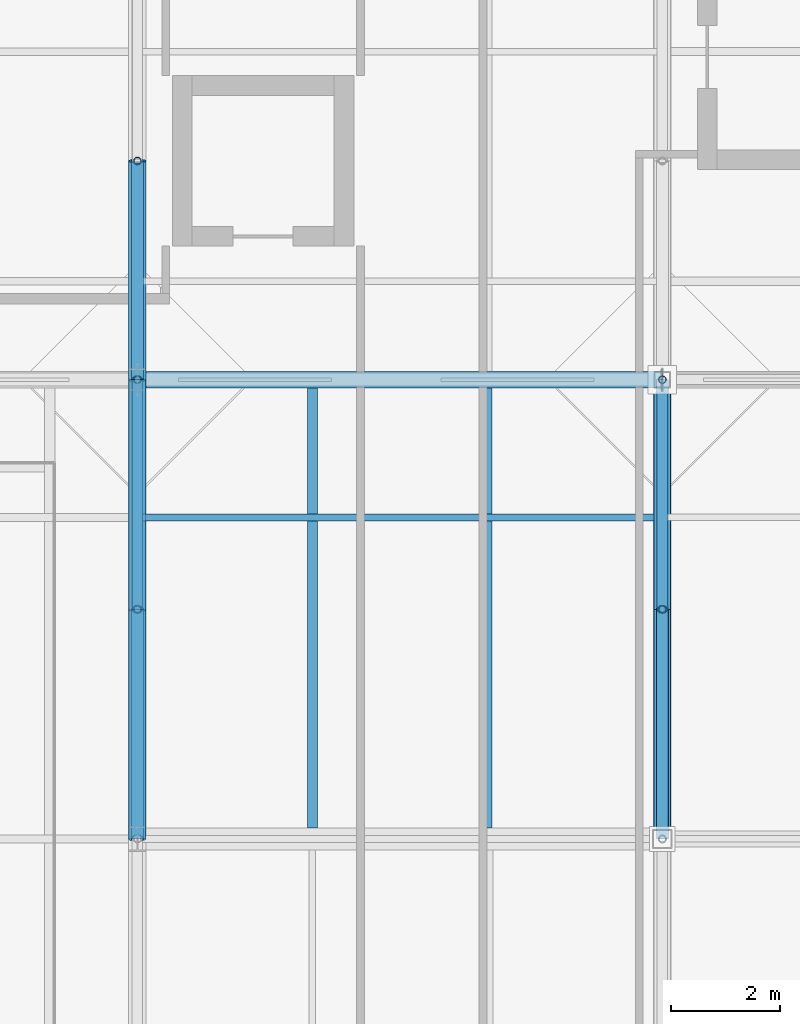
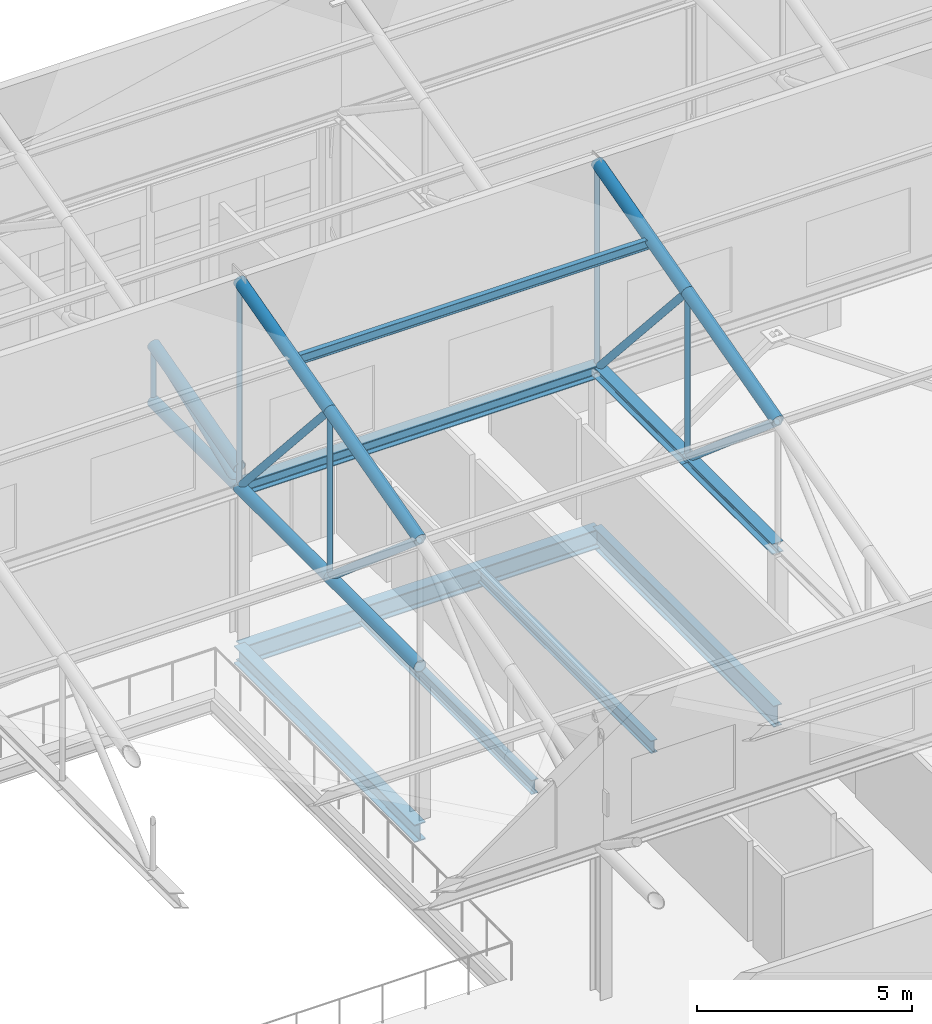
# One storey, part 40 of 89: 21 members, 6 beams.
"""IFC4 building model written with IfcOpenShell, lengths in metres."""

from ifc_helpers import new_model, si_unit, direction, frame, origin, origin_2d, place, context, subcontext, project, spatial, hollow_circle, i_section, extrude, material, material_profile, profile_set, type_object, element, save


model = new_model("IFC4")

# Units and contexts
model_context = context("Model", 3, precision=1e-05, world=origin(), true_north=direction((0.0, 1.0)))
body_context = subcontext(model_context, "Body", "Model", "MODEL_VIEW")
ifc_project = project(units=[si_unit("LENGTHUNIT", "METRE"), si_unit("AREAUNIT", "SQUARE_METRE"), si_unit("VOLUMEUNIT", "CUBIC_METRE"), si_unit("PLANEANGLEUNIT", "RADIAN"), si_unit("MASSUNIT", "GRAM", prefix="KILO")], contexts=[model_context])

# Site, building, storey
site_placement = place(None, origin())
site = spatial("IfcSite", under=ifc_project, at=site_placement, CompositionType="ELEMENT")
building_placement = place(site_placement, origin())
building = spatial("IfcBuilding", under=site, at=building_placement, Name="Zereglee Splitstone Museum", CompositionType="ELEMENT")
storey_placement = place(building_placement, frame((0.0, 0.0, 21.300048828125)))
storey = spatial("IfcBuildingStorey", under=building, at=storey_placement, Name="L04", CompositionType="ELEMENT", Elevation=21.300048828125)

# Members
ifc_material_1 = material(Name="Steel S355J2H", Category="steel")
ifc_material_profile_1 = material_profile(ifc_material_1, hollow_circle(Radius=0.096923828125, WallThickness=0.010009765625, at=origin_2d()), Name="CHS 193.7x10")
ifc_profile_set_1 = profile_set([ifc_material_profile_1], Name="Steel S355J2H")
member_type_1 = type_object("IfcMemberType", Name="TB-04", PredefinedType="BRACE", material=ifc_profile_set_1)
for number, where, z_axis, x_axis, name in (
    (1, (116.39990234375, 38.39990234375, 4.199951171875), (0.0, -0.664351853733, 0.747419971932), (1.0, 0.0, 0.0), "Roof Truss ST-05 Diagonal 2.4"),
    (2, (126.0, 38.39990234375, 4.199951171875), (0.0, -0.664351853733, 0.747419971932), (1.0, 0.0, 0.0), "Roof Truss ST-06 Diagonal 2.4"),
):
    element("IfcMember", number, at=place(storey_placement, frame(where, z_axis=z_axis, x_axis=x_axis)), inside=storey, type_object=member_type_1, Name=name, PredefinedType="BRACE", context=body_context, shape_type="SweptSolid", body=[
        extrude(hollow_circle(Radius=0.096923828125, WallThickness=0.010009765625, at=origin_2d()), origin(), (0.0, 0.0, 1.0), 6.32177734375),
    ])
ifc_material_profile_2 = material_profile(ifc_material_1, hollow_circle(Radius=0.109619140625, WallThickness=0.010009765625, at=origin_2d()), Name="CHS 219.1x10")
ifc_profile_set_2 = profile_set([ifc_material_profile_2], Name="Steel S355J2H")
member_type_2 = type_object("IfcMemberType", Name="TB-03", PredefinedType="BRACE", material=ifc_profile_set_2)
member_1_placement = place(storey_placement, frame((116.39990234375, 34.199951171875, 4.199951171875), z_axis=(0.0, -0.759244140748, 0.650805911728), x_axis=(1.0, 0.0, 0.0)))
element("IfcMember", 3, at=member_1_placement, inside=storey, type_object=member_type_2, Name="Roof Truss ST-05 Diagonal 2.3", PredefinedType="BRACE", context=body_context, shape_type="SweptSolid", body=[
    extrude(hollow_circle(Radius=0.109619140625, WallThickness=0.010009765625, at=origin_2d()), origin(), (0.0, 0.0, 1.0), 5.53173828125),
])
member_2_placement = place(storey_placement, frame((116.39990234375, 38.39990234375, 4.199951171875), z_axis=(0.0, 0.927136001435, 0.374725012299), x_axis=(-1.0, 0.0, 0.0)))
element("IfcMember", 4, at=member_2_placement, inside=storey, type_object=member_type_2, Name="Roof Truss ST-05 Diagonal 3.1", PredefinedType="BRACE", context=body_context, shape_type="SweptSolid", body=[
    extrude(hollow_circle(Radius=0.109619140625, WallThickness=0.010009765625, at=origin_2d()), origin(), (0.0, 0.0, 1.0), 4.314453125),
])
member_3_placement = place(storey_placement, frame((126.0, 34.199951171875, 4.199951171875), z_axis=(0.0, -0.759244140748, 0.650805911728), x_axis=(1.0, 0.0, 0.0)))
element("IfcMember", 5, at=member_3_placement, inside=storey, type_object=member_type_2, Name="Roof Truss ST-06 Diagonal 2.3", PredefinedType="BRACE", context=body_context, shape_type="SweptSolid", body=[
    extrude(hollow_circle(Radius=0.109619140625, WallThickness=0.010009765625, at=origin_2d()), origin(), (0.0, 0.0, 1.0), 5.53173828125),
])
ifc_material_profile_3 = material_profile(ifc_material_1, hollow_circle(Radius=0.161865234375, WallThickness=0.01611328125, at=origin_2d()), Name="CHS 323.9x16")
ifc_profile_set_3 = profile_set([ifc_material_profile_3], Name="Steel S355J2H")
member_type_3 = type_object("IfcMemberType", Name="TC-05", PredefinedType="CHORD", material=ifc_profile_set_3)
member_4_placement = place(storey_placement, frame((116.39990234375, 30.0, 4.199951171875), z_axis=(0.0, 1.0, 0.0), x_axis=(-1.0, 0.0, 0.0)))
element("IfcMember", 6, at=member_4_placement, inside=storey, type_object=member_type_3, Name="Roof Truss ST-05 Bottom Chord 2.3", PredefinedType="CHORD", context=body_context, shape_type="SweptSolid", body=[
    extrude(hollow_circle(Radius=0.161865234375, WallThickness=0.01611328125, at=origin_2d()), origin(), (0.0, 0.0, 1.0), 4.199951171875),
])
member_5_placement = place(storey_placement, frame((116.39990234375, 30.0, 7.800048828125), z_axis=(0.0, 0.965947299715, 0.258738891884), x_axis=(-1.0, 0.0, 0.0)))
element("IfcMember", 7, at=member_5_placement, inside=storey, type_object=member_type_3, Name="Roof Truss ST-05 Top Chord 2.3", PredefinedType="CHORD", context=body_context, shape_type="SweptSolid", body=[
    extrude(hollow_circle(Radius=0.161865234375, WallThickness=0.01611328125, at=origin_2d()), origin(), (0.0, 0.0, 1.0), 4.347900390625),
])
member_6_placement = place(storey_placement, frame((116.39990234375, 34.199951171875, 4.199951171875), z_axis=(0.0, 1.0, 0.0), x_axis=(-1.0, 0.0, 0.0)))
element("IfcMember", 8, at=member_6_placement, inside=storey, type_object=member_type_3, Name="Roof Truss ST-05 Bottom Chord 2.4", PredefinedType="CHORD", context=body_context, shape_type="SweptSolid", body=[
    extrude(hollow_circle(Radius=0.161865234375, WallThickness=0.01611328125, at=origin_2d()), origin(), (0.0, 0.0, 1.0), 4.199951171875),
])
member_7_placement = place(storey_placement, frame((116.39990234375, 34.199951171875, 8.925048828125), z_axis=(0.0, 0.965947299715, 0.258738891884), x_axis=(-1.0, 0.0, 0.0)))
element("IfcMember", 9, at=member_7_placement, inside=storey, type_object=member_type_3, Name="Roof Truss ST-05 Top Chord 2.4", PredefinedType="CHORD", context=body_context, shape_type="SweptSolid", body=[
    extrude(hollow_circle(Radius=0.161865234375, WallThickness=0.01611328125, at=origin_2d()), origin(), (0.0, 0.0, 1.0), 4.347900390625),
])
member_8_placement = place(storey_placement, frame((116.39990234375, 38.39990234375, 4.199951171875), z_axis=(0.0, 1.0, 0.0), x_axis=(-1.0, 0.0, 0.0)))
element("IfcMember", 10, at=member_8_placement, inside=storey, type_object=member_type_3, Name="Roof Truss ST-05 Bottom Chord 3.1", PredefinedType="CHORD", context=body_context, shape_type="SweptSolid", body=[
    extrude(hollow_circle(Radius=0.161865234375, WallThickness=0.01611328125, at=origin_2d()), origin(), (0.0, 0.0, 1.0), 4.0),
])
member_9_placement = place(storey_placement, frame((116.39990234375, 38.39990234375, 4.75), z_axis=(0.0, 0.966235918422, 0.257658979955), x_axis=(-1.0, 0.0, 0.0)))
element("IfcMember", 11, at=member_9_placement, inside=storey, type_object=member_type_3, Name="Roof Truss ST-05 Top Chord 3.1", PredefinedType="CHORD", context=body_context, shape_type="SweptSolid", body=[
    extrude(hollow_circle(Radius=0.161865234375, WallThickness=0.01611328125, at=origin_2d()), origin(), (0.0, 0.0, 1.0), 4.139892578125),
])
for number, where, z_axis, x_axis, name in (
    (12, (126.0, 30.0, 7.800048828125), (0.0, 0.965947299715, 0.258738891884), (-1.0, 0.0, 0.0), "Roof Truss ST-06 Top Chord 2.3"),
    (13, (126.0, 34.199951171875, 8.925048828125), (0.0, 0.965947299715, 0.258738891884), (-1.0, 0.0, 0.0), "Roof Truss ST-06 Top Chord 2.4"),
):
    element("IfcMember", number, at=place(storey_placement, frame(where, z_axis=z_axis, x_axis=x_axis)), inside=storey, type_object=member_type_3, Name=name, PredefinedType="CHORD", context=body_context, shape_type="SweptSolid", body=[
        extrude(hollow_circle(Radius=0.161865234375, WallThickness=0.01611328125, at=origin_2d()), origin(), (0.0, 0.0, 1.0), 4.347900390625),
    ])
ifc_material_2 = material(Name="Steel S355J2", Category="steel")
ifc_material_profile_4 = material_profile(ifc_material_2, i_section(OverallWidth=0.300048828125, OverallDepth=0.300048828125, WebThickness=0.010986328125, FlangeThickness=0.01904296875, FilletRadius=0.027099609375, at=origin_2d()), Name="HE 300 B")
ifc_profile_set_4 = profile_set([ifc_material_profile_4], Name="Steel S355J2")
member_type_4 = type_object("IfcMemberType", Name="TC-07", PredefinedType="CHORD", material=ifc_profile_set_4)
for number, where, z_axis, x_axis, name in (
    (14, (126.0, 30.0, 4.199951171875), (0.0, 1.0, 0.0), (-1.0, 0.0, 0.0), "Roof Truss ST-06 Bottom Chord 2.3"),
    (15, (126.0, 34.199951171875, 4.199951171875), (0.0, 1.0, 0.0), (-1.0, 0.0, 0.0), "Roof Truss ST-06 Bottom Chord 2.4"),
):
    element("IfcMember", number, at=place(storey_placement, frame(where, z_axis=z_axis, x_axis=x_axis)), inside=storey, type_object=member_type_4, Name=name, PredefinedType="CHORD", context=body_context, shape_type="SweptSolid", body=[
        extrude(i_section(OverallWidth=0.300048828125, OverallDepth=0.300048828125, WebThickness=0.010986328125, FlangeThickness=0.01904296875, FilletRadius=0.027099609375, at=origin_2d()), origin(), (0.0, 0.0, 1.0), 4.199951171875),
    ])

# Beams
ifc_material_profile_5 = material_profile(ifc_material_2, i_section(OverallWidth=0.300048828125, OverallDepth=0.360107421875, WebThickness=0.012451171875, FlangeThickness=0.0224609375, FilletRadius=0.027099609375, at=origin_2d()), Name="HE 360 B")
ifc_profile_set_5 = profile_set([ifc_material_profile_5], Name="Steel S355J2")
beam_type_1 = type_object("IfcBeamType", Name="BG-14", PredefinedType="BEAM", material=ifc_profile_set_5)
beam_1_placement = place(storey_placement, frame((116.39990234375, 38.39990234375, 4.199951171875), z_axis=(1.0, 0.0, 0.0), x_axis=(0.0, 1.0, 0.0)))
element("IfcBeam", 16, at=beam_1_placement, inside=storey, type_object=beam_type_1, Name="Sawtooth Monitor Sill Beam B5-S2", PredefinedType="BEAM", context=body_context, shape_type="SweptSolid", body=[
    extrude(i_section(OverallWidth=0.300048828125, OverallDepth=0.360107421875, WebThickness=0.012451171875, FlangeThickness=0.0224609375, FilletRadius=0.027099609375, at=origin_2d()), origin(), (0.0, 0.0, 1.0), 9.60009765625),
])
ifc_material_profile_6 = material_profile(ifc_material_2, i_section(OverallWidth=0.300048828125, OverallDepth=0.5, WebThickness=0.014404296875, FlangeThickness=0.028076171875, FilletRadius=0.027099609375, at=origin_2d()), Name="HE 500 B")
ifc_profile_set_6 = profile_set([ifc_material_profile_6], Name="Steel S355J2")
beam_type_2 = type_object("IfcBeamType", Name="BG-12", PredefinedType="BEAM", material=ifc_profile_set_6)
beam_2_placement = place(storey_placement, frame((116.39990234375, 30.0, -0.510009765625), z_axis=(0.0, 1.0, 0.0), x_axis=(-1.0, 0.0, 0.0)))
element("IfcBeam", 17, at=beam_2_placement, inside=storey, type_object=beam_type_2, Name="Primary Girder L04 14 (30.0-38.4)", PredefinedType="BEAM", context=body_context, shape_type="SweptSolid", body=[
    extrude(i_section(OverallWidth=0.300048828125, OverallDepth=0.5, WebThickness=0.014404296875, FlangeThickness=0.028076171875, FilletRadius=0.027099609375, at=origin_2d()), origin(), (0.0, 0.0, 1.0), 8.39990234375),
])
ifc_material_profile_7 = material_profile(ifc_material_2, i_section(OverallWidth=0.300048828125, OverallDepth=0.550048828125, WebThickness=0.014892578125, FlangeThickness=0.029052734375, FilletRadius=0.027099609375, at=origin_2d()), Name="HE 550 B")
ifc_profile_set_7 = profile_set([ifc_material_profile_7], Name="Steel S355J2")
beam_type_3 = type_object("IfcBeamType", Name="BG-11", PredefinedType="BEAM", material=ifc_profile_set_7)
beam_3_placement = place(storey_placement, frame((116.39990234375, 38.39990234375, -0.53515625), z_axis=(1.0, 0.0, 0.0), x_axis=(0.0, 1.0, 0.0)))
element("IfcBeam", 18, at=beam_3_placement, inside=storey, type_object=beam_type_3, Name="Primary Girder L04 E (116.4-126.0)", PredefinedType="BEAM", context=body_context, shape_type="SweptSolid", body=[
    extrude(i_section(OverallWidth=0.300048828125, OverallDepth=0.550048828125, WebThickness=0.014892578125, FlangeThickness=0.029052734375, FilletRadius=0.027099609375, at=origin_2d()), origin(), (0.0, 0.0, 1.0), 9.60009765625),
])
ifc_material_profile_8 = material_profile(ifc_material_2, i_section(OverallWidth=0.219970703125, OverallDepth=0.60009765625, WebThickness=0.011962890625, FlangeThickness=0.01904296875, FilletRadius=0.02392578125, at=origin_2d()), Name="IPE 600")
ifc_profile_set_8 = profile_set([ifc_material_profile_8], Name="Steel S355J2")
beam_type_4 = type_object("IfcBeamType", Name="BG-15", PredefinedType="BEAM", material=ifc_profile_set_8)
beam_4_placement = place(storey_placement, frame((126.0, 30.0, -0.56005859375), z_axis=(0.0, 1.0, 0.0), x_axis=(-1.0, 0.0, 0.0)))
element("IfcBeam", 19, at=beam_4_placement, inside=storey, type_object=beam_type_4, Name="Primary Girder L04 15 (30.0-38.4)", PredefinedType="BEAM", context=body_context, shape_type="SweptSolid", body=[
    extrude(i_section(OverallWidth=0.219970703125, OverallDepth=0.60009765625, WebThickness=0.011962890625, FlangeThickness=0.01904296875, FilletRadius=0.02392578125, at=origin_2d()), origin(), (0.0, 0.0, 1.0), 8.39990234375),
])
ifc_material_profile_9 = material_profile(ifc_material_2, i_section(OverallWidth=0.169921875, OverallDepth=0.360107421875, WebThickness=0.008056640625, FlangeThickness=0.0126953125, FilletRadius=0.01806640625, at=origin_2d()), Name="IPE 360")
ifc_profile_set_9 = profile_set([ifc_material_profile_9], Name="Steel S355J2")
beam_type_5 = type_object("IfcBeamType", Name="BJ-04", PredefinedType="JOIST", material=ifc_profile_set_9)
beam_5_placement = place(storey_placement, frame((122.800048828125, 30.199951171875, -0.43994140625), z_axis=(0.0, 1.0, 0.0), x_axis=(-1.0, 0.0, 0.0)))
element("IfcBeam", 20, at=beam_5_placement, inside=storey, type_object=beam_type_5, Name="Secondary Floor Joist L04-1543", PredefinedType="JOIST", context=body_context, shape_type="SweptSolid", body=[
    extrude(i_section(OverallWidth=0.169921875, OverallDepth=0.360107421875, WebThickness=0.008056640625, FlangeThickness=0.0126953125, FilletRadius=0.01806640625, at=origin_2d()), origin(), (0.0, 0.0, 1.0), 8.050048828125),
])
ifc_material_profile_10 = material_profile(ifc_material_2, i_section(OverallWidth=0.179931640625, OverallDepth=0.39990234375, WebThickness=0.008544921875, FlangeThickness=0.013427734375, FilletRadius=0.02099609375, at=origin_2d()), Name="IPE 400")
ifc_profile_set_10 = profile_set([ifc_material_profile_10], Name="Steel S355J2")
beam_type_6 = type_object("IfcBeamType", Name="BJ-03", PredefinedType="JOIST", material=ifc_profile_set_10)
beam_6_placement = place(storey_placement, frame((119.60009765625, 30.199951171875, -0.4599609375), z_axis=(0.0, 1.0, 0.0), x_axis=(-1.0, 0.0, 0.0)))
element("IfcBeam", 21, at=beam_6_placement, inside=storey, type_object=beam_type_6, Name="Secondary Floor Joist L04-1542", PredefinedType="JOIST", context=body_context, shape_type="SweptSolid", body=[
    extrude(i_section(OverallWidth=0.179931640625, OverallDepth=0.39990234375, WebThickness=0.008544921875, FlangeThickness=0.013427734375, FilletRadius=0.02099609375, at=origin_2d()), origin(), (0.0, 0.0, 1.0), 8.050048828125),
])

# Members
ifc_material_profile_11 = material_profile(ifc_material_1, hollow_circle(Radius=0.06982421875, WallThickness=0.008056640625, at=origin_2d()), Name="CHS 139.7x8")
ifc_profile_set_11 = profile_set([ifc_material_profile_11], Name="Steel S355J2H")
member_type_5 = type_object("IfcMemberType", Name="TP-03", PredefinedType="POST", material=ifc_profile_set_11)
member_10_placement = place(storey_placement, frame((116.39990234375, 34.199951171875, 4.199951171875), z_axis=(0.0, 0.0, 1.0), x_axis=(1.0, 0.0, 0.0)))
element("IfcMember", 22, at=member_10_placement, inside=storey, type_object=member_type_5, Name="Roof Truss ST-05 Post 2.3", PredefinedType="POST", context=body_context, shape_type="SweptSolid", body=[
    extrude(hollow_circle(Radius=0.06982421875, WallThickness=0.008056640625, at=origin_2d()), origin(), (0.0, 0.0, 1.0), 4.72509765625),
])
member_11_placement = place(storey_placement, frame((116.39990234375, 38.39990234375, 4.199951171875), z_axis=(0.0, 0.0, 1.0), x_axis=(1.0, 0.0, 0.0)))
element("IfcMember", 23, at=member_11_placement, inside=storey, type_object=member_type_5, Name="Roof Truss ST-05 Post 2.4", PredefinedType="POST", context=body_context, shape_type="SweptSolid", body=[
    extrude(hollow_circle(Radius=0.06982421875, WallThickness=0.008056640625, at=origin_2d()), origin(), (0.0, 0.0, 1.0), 5.85009765625),
])
member_12_placement = place(storey_placement, frame((116.39990234375, 42.39990234375, 4.199951171875), z_axis=(0.0, 0.0, 1.0), x_axis=(1.0, 0.0, 0.0)))
element("IfcMember", 24, at=member_12_placement, inside=storey, type_object=member_type_5, Name="Roof Truss ST-05 Post 3.1", PredefinedType="POST", context=body_context, shape_type="SweptSolid", body=[
    extrude(hollow_circle(Radius=0.06982421875, WallThickness=0.008056640625, at=origin_2d()), origin(), (0.0, 0.0, 1.0), 1.61669921875),
])
member_13_placement = place(storey_placement, frame((126.0, 34.199951171875, 4.199951171875), z_axis=(0.0, 0.0, 1.0), x_axis=(1.0, 0.0, 0.0)))
element("IfcMember", 25, at=member_13_placement, inside=storey, type_object=member_type_5, Name="Roof Truss ST-06 Post 2.3", PredefinedType="POST", context=body_context, shape_type="SweptSolid", body=[
    extrude(hollow_circle(Radius=0.06982421875, WallThickness=0.008056640625, at=origin_2d()), origin(), (0.0, 0.0, 1.0), 4.72509765625),
])
member_14_placement = place(storey_placement, frame((126.0, 38.39990234375, 4.199951171875), z_axis=(0.0, 0.0, 1.0), x_axis=(1.0, 0.0, 0.0)))
element("IfcMember", 26, at=member_14_placement, inside=storey, type_object=member_type_5, Name="Roof Truss ST-06 Post 2.4", PredefinedType="POST", context=body_context, shape_type="SweptSolid", body=[
    extrude(hollow_circle(Radius=0.06982421875, WallThickness=0.008056640625, at=origin_2d()), origin(), (0.0, 0.0, 1.0), 5.85009765625),
])
ifc_material_profile_12 = material_profile(ifc_material_2, i_section(OverallWidth=0.135009765625, OverallDepth=0.27001953125, WebThickness=0.006591796875, FlangeThickness=0.01025390625, FilletRadius=0.014892578125, at=origin_2d()), Name="IPE 270")
ifc_profile_set_12 = profile_set([ifc_material_profile_12], Name="Steel S355J2")
member_type_6 = type_object("IfcMemberType", Name="PR-02", PredefinedType="PURLIN", material=ifc_profile_set_12)
member_15_placement = place(storey_placement, frame((116.39990234375, 35.8798828125, 9.3134765625), z_axis=(1.0, 0.0, 0.0), x_axis=(0.0, 1.0, 0.0)))
element("IfcMember", 27, at=member_15_placement, inside=storey, type_object=member_type_6, Name="Sawtooth Roof Purlin B5-S2-3", PredefinedType="PURLIN", context=body_context, shape_type="SweptSolid", body=[
    extrude(i_section(OverallWidth=0.135009765625, OverallDepth=0.27001953125, WebThickness=0.006591796875, FlangeThickness=0.01025390625, FilletRadius=0.014892578125, at=origin_2d()), origin(), (0.0, 0.0, 1.0), 9.60009765625),
])

save(model, "model.ifc")
